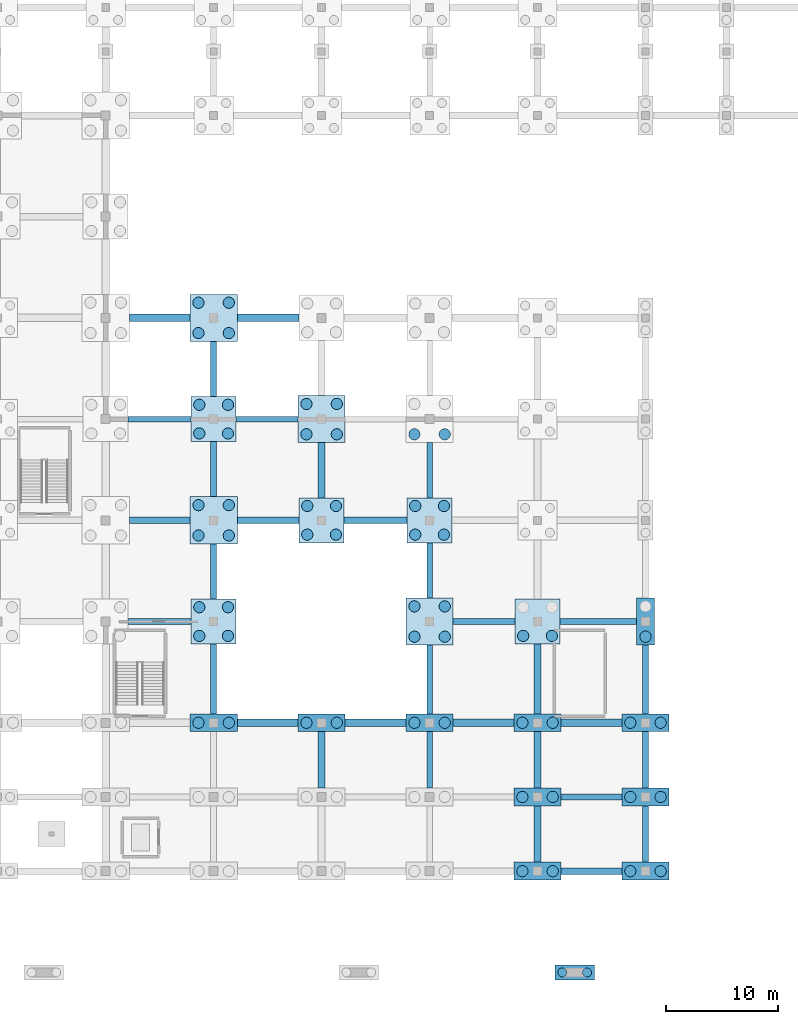
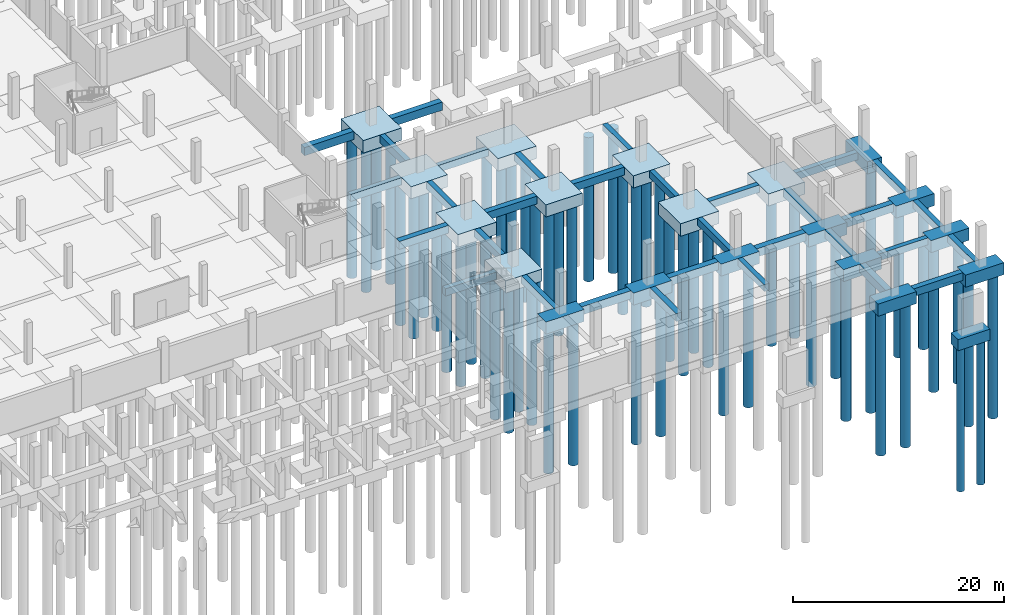
# One storey, part 12 of 39: 57 piles, 52 footings.
"""IFC4 building model written with IfcOpenShell, lengths in metres."""

import ifcopenshell
import ifcopenshell.guid

model = None  # the IFC model being written
_history = None  # IfcOwnerHistory: only IFC2X3 demands one
_inside = {}  # id of a spatial element -> (the spatial element, [elements in it])
_under = {}  # id of a project, library or spatial element -> (it, [spatial elements below it])
_declared = {}  # id of a project -> (the project, [libraries it declares])
_typed = {}  # id of a type object -> (the type object, [elements of that type])
_made_of = {}  # id of a material, layer set ... -> (it, [elements and type objects made of it])


def new_model(schema):
    """Start an empty IFC model of exactly this schema.

    Asked for "IFC4X3", IfcOpenShell would pick the latest addendum, in which some entities
    have other attributes; the version numbers below select the first issue.
    IFC2X3 requires an IfcOwnerHistory on every rooted entity: one is made here for all.
    """
    global model, _history
    if schema == "IFC4X3":
        model = ifcopenshell.file(schema_version=(4, 3, 0, 0))
    else:
        model = ifcopenshell.file(schema=schema)
    _inside.clear()
    _under.clear()
    _declared.clear()
    _typed.clear()
    _made_of.clear()
    _history = None
    if model.schema == "IFC2X3":
        org = make("IfcOrganization", Name="unknown")
        user = make(
            "IfcPersonAndOrganization",
            ThePerson=make("IfcPerson", FamilyName="unknown"),
            TheOrganization=org,
        )
        app = make(
            "IfcApplication",
            ApplicationDeveloper=org,
            Version="unknown",
            ApplicationFullName="unknown",
            ApplicationIdentifier="unknown",
        )
        _history = make(
            "IfcOwnerHistory",
            OwningUser=user,
            OwningApplication=app,
            ChangeAction="ADDED",
            CreationDate=0,
        )
    return model


def make(cls, **values):
    """One entity of the class cls with the attributes given. An attribute that is None is left unset."""
    return model.create_entity(
        cls, **{name: value for name, value in values.items() if value is not None}
    )


def rooted(cls, **values):
    """An entity with a GlobalId (a new one), such as an element, a storey or a relation."""
    return make(cls, GlobalId=ifcopenshell.guid.new(), OwnerHistory=_history, **values)


def si_unit(unit_type, name, prefix=None):
    """IfcSIUnit, for example si_unit("LENGTHUNIT", "METRE", prefix="MILLI")."""
    return make("IfcSIUnit", UnitType=unit_type, Prefix=prefix, Name=name)


def assignment(units):
    """IfcUnitAssignment: the units of a project."""
    return None if units is None else make("IfcUnitAssignment", Units=units)


def point(xyz):
    """IfcCartesianPoint."""
    return None if xyz is None else make("IfcCartesianPoint", Coordinates=xyz)


def direction(xyz):
    """IfcDirection."""
    return None if xyz is None else make("IfcDirection", DirectionRatios=xyz)


def frame(location, z_axis=None, x_axis=None):
    """IfcAxis2Placement3D, a coordinate frame: its origin and axes. An axis left out is left unset."""
    return make(
        "IfcAxis2Placement3D",
        Location=point(location),
        Axis=direction(z_axis),
        RefDirection=direction(x_axis),
    )


def frame_2d(location, x_axis=None):
    """IfcAxis2Placement2D, a coordinate frame in the plane: its origin and x axis."""
    return make(
        "IfcAxis2Placement2D", Location=point(location), RefDirection=direction(x_axis)
    )


def origin():
    """The frame at (0, 0, 0) with its axes left unset."""
    return frame((0.0, 0.0, 0.0))


def origin_2d():
    """The frame at (0, 0) in the plane with its x axis left unset."""
    return frame_2d((0.0, 0.0))


def place(relative_to, where):
    """IfcLocalPlacement: puts the frame where relative to a parent placement (None: the world)."""
    return make(
        "IfcLocalPlacement", PlacementRelTo=relative_to, RelativePlacement=where
    )


def context(
    kind, dimensions, precision=None, world=None, true_north=None, identifier=None
):
    """IfcGeometricRepresentationContext, for example the 3D "Model" context."""
    return make(
        "IfcGeometricRepresentationContext",
        ContextIdentifier=identifier,
        ContextType=kind,
        CoordinateSpaceDimension=dimensions,
        Precision=precision,
        WorldCoordinateSystem=world,
        TrueNorth=true_north,
    )


def subcontext(parent, identifier, kind, view, scale=None):
    """IfcGeometricRepresentationSubContext, for example "Body" below "Model"."""
    return make(
        "IfcGeometricRepresentationSubContext",
        ContextIdentifier=identifier,
        ContextType=kind,
        ParentContext=parent,
        TargetScale=scale,
        TargetView=view,
    )


def project(units=None, contexts=None):
    """IfcProject with its units and contexts."""
    return rooted(
        "IfcProject",
        Name="project",
        RepresentationContexts=contexts,
        UnitsInContext=assignment(units),
    )


def spatial(cls, under=None, at=None, **own):
    """A site, building, storey or space (cls), placed at a placement, below another one or the project."""
    s = rooted(cls, ObjectPlacement=at, **own)
    if under is not None:
        _under.setdefault(under.id(), (under, []))[1].append(s)
    return s


def polyline(points):
    """IfcPolyline through the points."""
    return make("IfcPolyline", Points=[point(p) for p in points])


def profile(cls, at=None, kind="AREA", **sizes):
    """A parametric profile (cls). Its sizes go by their IFC names, for example OverallWidth=200.0."""
    return make(cls, ProfileType=kind, Position=at, **sizes)


def rectangle(**sizes):
    """IfcRectangleProfileDef."""
    return profile("IfcRectangleProfileDef", **sizes)


def circle(**sizes):
    """IfcCircleProfileDef."""
    return profile("IfcCircleProfileDef", **sizes)


def outline(outer, holes=None, kind="AREA"):
    """IfcArbitraryClosedProfileDef: a profile drawn as a closed curve; with holes, ...WithVoids."""
    if holes is None:
        return make("IfcArbitraryClosedProfileDef", ProfileType=kind, OuterCurve=outer)
    return make(
        "IfcArbitraryProfileDefWithVoids",
        ProfileType=kind,
        OuterCurve=outer,
        InnerCurves=holes,
    )


def extrude(swept, where, along, depth):
    """IfcExtrudedAreaSolid: the profile swept, set in the frame where, extruded along a direction by depth."""
    return make(
        "IfcExtrudedAreaSolid",
        SweptArea=swept,
        Position=where,
        ExtrudedDirection=direction(along),
        Depth=depth,
    )


def shape(context_of_items, identifier, shape_type, items):
    """IfcShapeRepresentation: the items that make up one representation, for example the "Body"."""
    return make(
        "IfcShapeRepresentation",
        ContextOfItems=context_of_items,
        RepresentationIdentifier=identifier,
        RepresentationType=shape_type,
        Items=items,
    )


def material(Name=None, Category=None):
    """IfcMaterial."""
    return make("IfcMaterial", Name=Name, Category=Category)


def material_profile(
    of_material, cross_section, Name=None, Category=None, Priority=None
):
    """IfcMaterialProfile: a cross section and its material."""
    return make(
        "IfcMaterialProfile",
        Name=Name,
        Material=of_material,
        Profile=cross_section,
        Priority=Priority,
        Category=Category,
    )


def profile_set(profiles, Name=None, composite=None):
    """IfcMaterialProfileSet."""
    return make(
        "IfcMaterialProfileSet",
        Name=Name,
        MaterialProfiles=profiles,
        CompositeProfile=composite,
    )


def made_of(thing, what):
    """Note that an element or type object is made of a material, layer set ...; save() writes the relation."""
    if what is not None:
        _made_of.setdefault(what.id(), (what, []))[1].append(thing)
    return thing


def type_object(cls, material=None, **own):
    """A type object (cls), such as IfcWallType, which elements share."""
    return made_of(rooted(cls, **own), material)


def element(
    cls,
    number,
    at=None,
    inside=None,
    cuts=None,
    type_object=None,
    material=None,
    context=None,
    identifier="Body",
    shape_type=None,
    held_by="IfcProductDefinitionShape",
    body=None,
    shapes=None,
    **own,
):
    """One element of the class cls, such as IfcWall. Its Tag is "e" and its number.

    at: its placement. inside: the storey or other place that contains it. cuts: it is an
    opening in that element (IfcRelVoidsElement). A single representation is given by context,
    identifier, shape_type and body (its items); several are given by shapes. held_by: the class
    of the entity that holds the representations. save() writes the other relations.
    """
    e = rooted(cls, Tag="e%d" % number, ObjectPlacement=at, **own)
    if body is not None:
        shapes = [shape(context, identifier, shape_type, body)]
    if shapes is not None:
        e.Representation = make(held_by, Representations=shapes)
    if inside is not None:
        _inside.setdefault(inside.id(), (inside, []))[1].append(e)
    if cuts is not None:
        rooted(
            "IfcRelVoidsElement", RelatingBuildingElement=cuts, RelatedOpeningElement=e
        )
    if type_object is not None:
        _typed.setdefault(type_object.id(), (type_object, []))[1].append(e)
    return made_of(e, material)


def aggregate(whole, parts):
    """IfcRelAggregates: a whole, such as a stair, and the parts it consists of."""
    return rooted("IfcRelAggregates", RelatingObject=whole, RelatedObjects=parts)


def save(model, path):
    """Write the relations noted so far, then the file.

    IfcRelAggregates (storeys below a building ...), IfcRelContainedInSpatialStructure (elements
    in a storey), IfcRelDefinesByType, IfcRelAssociatesMaterial and IfcRelDeclares: one each for
    every whole, place, type object, material and project.
    """
    for whole, parts in _under.values():
        aggregate(whole, parts)
    for where, things in _inside.values():
        rooted(
            "IfcRelContainedInSpatialStructure",
            RelatedElements=things,
            RelatingStructure=where,
        )
    for kind, things in _typed.values():
        rooted("IfcRelDefinesByType", RelatedObjects=things, RelatingType=kind)
    for what, things in _made_of.values():
        rooted("IfcRelAssociatesMaterial", RelatedObjects=things, RelatingMaterial=what)
    for by, libraries in _declared.values():
        rooted("IfcRelDeclares", RelatingContext=by, RelatedDefinitions=libraries)
    model.write(path)


model = new_model("IFC4")

# Units and contexts
model_context = context("Model", 3, precision=1e-05, world=origin(), true_north=direction((0.0, 1.0)))
body_context = subcontext(model_context, "Body", "Model", "MODEL_VIEW")
ifc_project = project(units=[si_unit("LENGTHUNIT", "METRE"), si_unit("AREAUNIT", "SQUARE_METRE"), si_unit("VOLUMEUNIT", "CUBIC_METRE"), si_unit("PLANEANGLEUNIT", "RADIAN"), si_unit("MASSUNIT", "GRAM", prefix="KILO")], contexts=[model_context])

# Site, building, storey
site_placement = place(None, origin())
site = spatial("IfcSite", under=ifc_project, at=site_placement, CompositionType="ELEMENT")
building_placement = place(site_placement, origin())
building = spatial("IfcBuilding", under=site, at=building_placement, Name="Zarnetskaya Central Station", CompositionType="ELEMENT")
storey_placement = place(building_placement, frame((0.0, 0.0, -4.800048828125)))
storey = spatial("IfcBuildingStorey", under=building, at=storey_placement, Name="B1", CompositionType="ELEMENT", Elevation=-4.800048828125)

# Footings
ifc_material_1 = material(Name="Concrete C30/37", Category="concrete")
footing_type_1 = type_object("IfcFootingType", Name="FB-500x800", PredefinedType="FOOTING_BEAM", material=ifc_material_1)
footing_1_placement = place(storey_placement, frame((0.0, 0.0, -0.800048828125)))
element("IfcFooting", 1, at=footing_1_placement, inside=storey, type_object=footing_type_1, Name="Footing tie beam 2 T-U", PredefinedType="FOOTING_BEAM", context=body_context, shape_type="SweptSolid", body=[
    extrude(outline(polyline([(165.300048828125, 6.35009765625), (170.699951171875, 6.35009765625), (170.699951171875, 6.85009765625), (165.300048828125, 6.85009765625), (165.300048828125, 6.35009765625)])), origin(), (0.0, 0.0, 1.0), 0.800048828125),
])
footing_2_placement = place(storey_placement, frame((0.0, 0.0, -0.800048828125)))
element("IfcFooting", 2, at=footing_2_placement, inside=storey, type_object=footing_type_1, Name="Footing tie beam 6 P-Q", PredefinedType="FOOTING_BEAM", context=body_context, shape_type="SweptSolid", body=[
    extrude(outline(polyline([(126.800048828125, 39.949951171875), (132.39990234375, 39.949951171875), (132.39990234375, 40.449951171875), (126.800048828125, 40.449951171875), (126.800048828125, 39.949951171875)])), origin(), (0.0, 0.0, 1.0), 0.800048828125),
])
footing_3_placement = place(storey_placement, frame((0.0, 0.0, -0.800048828125)))
element("IfcFooting", 3, at=footing_3_placement, inside=storey, type_object=footing_type_1, Name="Footing tie beam 6 Q-R", PredefinedType="FOOTING_BEAM", context=body_context, shape_type="SweptSolid", body=[
    extrude(outline(polyline([(136.39990234375, 39.949951171875), (141.89990234375, 39.949951171875), (141.89990234375, 40.449951171875), (136.39990234375, 40.449951171875), (136.39990234375, 39.949951171875)])), origin(), (0.0, 0.0, 1.0), 0.800048828125),
])
footing_4_placement = place(storey_placement, frame((0.0, 0.0, -0.800048828125)))
element("IfcFooting", 4, at=footing_4_placement, inside=storey, type_object=footing_type_1, Name="Footing tie beam S 2-3", PredefinedType="FOOTING_BEAM", context=body_context, shape_type="SweptSolid", body=[
    extrude(outline(polyline([(153.35009765625, 7.39990234375), (153.85009765625, 7.39990234375), (153.85009765625, 12.39990234375), (153.35009765625, 12.39990234375), (153.35009765625, 7.39990234375)])), origin(), (0.0, 0.0, 1.0), 0.800048828125),
])
footing_5_placement = place(storey_placement, frame((0.0, 0.0, -0.800048828125)))
element("IfcFooting", 5, at=footing_5_placement, inside=storey, type_object=footing_type_1, Name="Footing tie beam S 3-4", PredefinedType="FOOTING_BEAM", context=body_context, shape_type="SweptSolid", body=[
    extrude(outline(polyline([(153.35009765625, 14.0), (153.85009765625, 14.0), (153.85009765625, 20.10009765625), (153.35009765625, 20.10009765625), (153.35009765625, 14.0)])), origin(), (0.0, 0.0, 1.0), 0.800048828125),
])
footing_6_placement = place(storey_placement, frame((0.0, 0.0, -0.800048828125)))
element("IfcFooting", 6, at=footing_6_placement, inside=storey, type_object=footing_type_1, Name="Footing tie beam S 4-5", PredefinedType="FOOTING_BEAM", context=body_context, shape_type="SweptSolid", body=[
    extrude(outline(polyline([(153.35009765625, 24.300048828125), (153.85009765625, 24.300048828125), (153.85009765625, 29.199951171875), (153.35009765625, 29.199951171875), (153.35009765625, 24.300048828125)])), origin(), (0.0, 0.0, 1.0), 0.800048828125),
])
footing_7_placement = place(storey_placement, frame((0.0, 0.0, -0.800048828125)))
element("IfcFooting", 7, at=footing_7_placement, inside=storey, type_object=footing_type_1, Name="Footing tie beam S 5-6", PredefinedType="FOOTING_BEAM", context=body_context, shape_type="SweptSolid", body=[
    extrude(outline(polyline([(153.35009765625, 33.199951171875), (153.85009765625, 33.199951171875), (153.85009765625, 38.10009765625), (153.35009765625, 38.10009765625), (153.35009765625, 33.199951171875)])), origin(), (0.0, 0.0, 1.0), 0.800048828125),
])
footing_type_2 = type_object("IfcFootingType", Name="FB-550x850", PredefinedType="FOOTING_BEAM", material=ifc_material_1)
footing_8_placement = place(storey_placement, frame((0.0, 0.0, -0.849853515625)))
element("IfcFooting", 8, at=footing_8_placement, inside=storey, type_object=footing_type_2, Name="Footing tie beam 4 P-Q", PredefinedType="FOOTING_BEAM", context=body_context, shape_type="SweptSolid", body=[
    extrude(outline(polyline([(126.800048828125, 21.925048828125), (132.39990234375, 21.925048828125), (132.39990234375, 22.47509765625), (126.800048828125, 22.47509765625), (126.800048828125, 21.925048828125)])), origin(), (0.0, 0.0, 1.0), 0.849853515625),
])
footing_9_placement = place(storey_placement, frame((0.0, 0.0, -0.849853515625)))
element("IfcFooting", 9, at=footing_9_placement, inside=storey, type_object=footing_type_2, Name="Footing tie beam 4 S-T", PredefinedType="FOOTING_BEAM", context=body_context, shape_type="SweptSolid", body=[
    extrude(outline(polyline([(155.699951171875, 21.925048828125), (161.199951171875, 21.925048828125), (161.199951171875, 22.47509765625), (155.699951171875, 22.47509765625), (155.699951171875, 21.925048828125)])), origin(), (0.0, 0.0, 1.0), 0.849853515625),
])
footing_10_placement = place(storey_placement, frame((0.0, 0.0, -0.849853515625)))
element("IfcFooting", 10, at=footing_10_placement, inside=storey, type_object=footing_type_2, Name="Footing tie beam 4 T-U", PredefinedType="FOOTING_BEAM", context=body_context, shape_type="SweptSolid", body=[
    extrude(outline(polyline([(165.199951171875, 21.925048828125), (172.0, 21.925048828125), (172.0, 22.47509765625), (165.199951171875, 22.47509765625), (165.199951171875, 21.925048828125)])), origin(), (0.0, 0.0, 1.0), 0.849853515625),
])
footing_11_placement = place(storey_placement, frame((0.0, 0.0, -0.849853515625)))
element("IfcFooting", 11, at=footing_11_placement, inside=storey, type_object=footing_type_2, Name="Footing tie beam Q 3-4", PredefinedType="FOOTING_BEAM", context=body_context, shape_type="SweptSolid", body=[
    extrude(outline(polyline([(134.125, 14.0), (134.675048828125, 14.0), (134.675048828125, 20.199951171875), (134.125, 20.199951171875), (134.125, 14.0)])), origin(), (0.0, 0.0, 1.0), 0.849853515625),
])
footing_12_placement = place(storey_placement, frame((0.0, 0.0, -0.849853515625)))
element("IfcFooting", 12, at=footing_12_placement, inside=storey, type_object=footing_type_2, Name="Footing tie beam Q 4-5", PredefinedType="FOOTING_BEAM", context=body_context, shape_type="SweptSolid", body=[
    extrude(outline(polyline([(134.125, 24.199951171875), (134.675048828125, 24.199951171875), (134.675048828125, 29.10009765625), (134.125, 29.10009765625), (134.125, 24.199951171875)])), origin(), (0.0, 0.0, 1.0), 0.849853515625),
])
footing_13_placement = place(storey_placement, frame((0.0, 0.0, -0.849853515625)))
element("IfcFooting", 13, at=footing_13_placement, inside=storey, type_object=footing_type_2, Name="Footing tie beam Q 5-6", PredefinedType="FOOTING_BEAM", context=body_context, shape_type="SweptSolid", body=[
    extrude(outline(polyline([(134.125, 33.300048828125), (134.675048828125, 33.300048828125), (134.675048828125, 38.199951171875), (134.125, 38.199951171875), (134.125, 33.300048828125)])), origin(), (0.0, 0.0, 1.0), 0.849853515625),
])
footing_14_placement = place(storey_placement, frame((0.0, 0.0, -0.849853515625)))
element("IfcFooting", 14, at=footing_14_placement, inside=storey, type_object=footing_type_2, Name="Footing tie beam Q 6-7", PredefinedType="FOOTING_BEAM", context=body_context, shape_type="SweptSolid", body=[
    extrude(outline(polyline([(134.125, 42.199951171875), (134.675048828125, 42.199951171875), (134.675048828125, 47.10009765625), (134.125, 47.10009765625), (134.125, 42.199951171875)])), origin(), (0.0, 0.0, 1.0), 0.849853515625),
])
footing_15_placement = place(storey_placement, frame((0.0, 0.0, -0.849853515625)))
element("IfcFooting", 15, at=footing_15_placement, inside=storey, type_object=footing_type_2, Name="Footing tie beam U 1-2", PredefinedType="FOOTING_BEAM", context=body_context, shape_type="SweptSolid", body=[
    extrude(outline(polyline([(172.52490234375, 0.800048828125), (173.074951171875, 0.800048828125), (173.074951171875, 5.800048828125), (172.52490234375, 5.800048828125), (172.52490234375, 0.800048828125)])), origin(), (0.0, 0.0, 1.0), 0.849853515625),
])
footing_16_placement = place(storey_placement, frame((0.0, 0.0, -0.849853515625)))
element("IfcFooting", 16, at=footing_16_placement, inside=storey, type_object=footing_type_2, Name="Footing tie beam U 2-3", PredefinedType="FOOTING_BEAM", context=body_context, shape_type="SweptSolid", body=[
    extrude(outline(polyline([(172.52490234375, 7.39990234375), (173.074951171875, 7.39990234375), (173.074951171875, 12.39990234375), (172.52490234375, 12.39990234375), (172.52490234375, 7.39990234375)])), origin(), (0.0, 0.0, 1.0), 0.849853515625),
])
footing_17_placement = place(storey_placement, frame((0.0, 0.0, -0.849853515625)))
element("IfcFooting", 17, at=footing_17_placement, inside=storey, type_object=footing_type_2, Name="Footing tie beam U 3-4", PredefinedType="FOOTING_BEAM", context=body_context, shape_type="SweptSolid", body=[
    extrude(outline(polyline([(172.52490234375, 14.0), (173.074951171875, 14.0), (173.074951171875, 20.10009765625), (172.52490234375, 20.10009765625), (172.52490234375, 14.0)])), origin(), (0.0, 0.0, 1.0), 0.849853515625),
])
footing_type_3 = type_object("IfcFootingType", Name="FB-600x900", PredefinedType="FOOTING_BEAM", material=ifc_material_1)
footing_18_placement = place(storey_placement, frame((0.0, 0.0, -0.89990234375)))
element("IfcFooting", 18, at=footing_18_placement, inside=storey, type_object=footing_type_3, Name="Footing tie beam 1 T-U", PredefinedType="FOOTING_BEAM", context=body_context, shape_type="SweptSolid", body=[
    extrude(outline(polyline([(165.300048828125, -0.300048828125), (170.699951171875, -0.300048828125), (170.699951171875, 0.300048828125), (165.300048828125, 0.300048828125), (165.300048828125, -0.300048828125)])), origin(), (0.0, 0.0, 1.0), 0.89990234375),
])
footing_19_placement = place(storey_placement, frame((0.0, 0.0, -0.89990234375)))
element("IfcFooting", 19, at=footing_19_placement, inside=storey, type_object=footing_type_3, Name="Footing tie beam 5 P-Q", PredefinedType="FOOTING_BEAM", context=body_context, shape_type="SweptSolid", body=[
    extrude(outline(polyline([(126.89990234375, 30.89990234375), (132.300048828125, 30.89990234375), (132.300048828125, 31.5), (126.89990234375, 31.5), (126.89990234375, 30.89990234375)])), origin(), (0.0, 0.0, 1.0), 0.89990234375),
])
footing_20_placement = place(storey_placement, frame((0.0, 0.0, -0.89990234375)))
element("IfcFooting", 20, at=footing_20_placement, inside=storey, type_object=footing_type_3, Name="Footing tie beam 5 Q-R", PredefinedType="FOOTING_BEAM", context=body_context, shape_type="SweptSolid", body=[
    extrude(outline(polyline([(136.5, 30.89990234375), (142.0, 30.89990234375), (142.0, 31.5), (136.5, 31.5), (136.5, 30.89990234375)])), origin(), (0.0, 0.0, 1.0), 0.89990234375),
])
footing_21_placement = place(storey_placement, frame((0.0, 0.0, -0.89990234375)))
element("IfcFooting", 21, at=footing_21_placement, inside=storey, type_object=footing_type_3, Name="Footing tie beam 5 R-S", PredefinedType="FOOTING_BEAM", context=body_context, shape_type="SweptSolid", body=[
    extrude(outline(polyline([(146.0, 30.89990234375), (151.60009765625, 30.89990234375), (151.60009765625, 31.5), (146.0, 31.5), (146.0, 30.89990234375)])), origin(), (0.0, 0.0, 1.0), 0.89990234375),
])
footing_22_placement = place(storey_placement, frame((0.0, 0.0, -0.89990234375)))
element("IfcFooting", 22, at=footing_22_placement, inside=storey, type_object=footing_type_3, Name="Footing tie beam R 2-3", PredefinedType="FOOTING_BEAM", context=body_context, shape_type="SweptSolid", body=[
    extrude(outline(polyline([(143.699951171875, 7.39990234375), (144.300048828125, 7.39990234375), (144.300048828125, 12.39990234375), (143.699951171875, 12.39990234375), (143.699951171875, 7.39990234375)])), origin(), (0.0, 0.0, 1.0), 0.89990234375),
])
footing_23_placement = place(storey_placement, frame((0.0, 0.0, -0.89990234375)))
element("IfcFooting", 23, at=footing_23_placement, inside=storey, type_object=footing_type_3, Name="Footing tie beam R 5-6", PredefinedType="FOOTING_BEAM", context=body_context, shape_type="SweptSolid", body=[
    extrude(outline(polyline([(143.699951171875, 33.199951171875), (144.300048828125, 33.199951171875), (144.300048828125, 38.10009765625), (143.699951171875, 38.10009765625), (143.699951171875, 33.199951171875)])), origin(), (0.0, 0.0, 1.0), 0.89990234375),
])
footing_type_4 = type_object("IfcFootingType", Name="FB-650x950", PredefinedType="FOOTING_BEAM", material=ifc_material_1)
footing_24_placement = place(storey_placement, frame((0.0, 0.0, -0.949951171875)))
element("IfcFooting", 24, at=footing_24_placement, inside=storey, type_object=footing_type_4, Name="Footing tie beam 3 Q-R", PredefinedType="FOOTING_BEAM", context=body_context, shape_type="SweptSolid", body=[
    extrude(outline(polyline([(136.5, 12.875), (141.89990234375, 12.875), (141.89990234375, 13.52490234375), (136.5, 13.52490234375), (136.5, 12.875)])), origin(), (0.0, 0.0, 1.0), 0.949951171875),
])
footing_25_placement = place(storey_placement, frame((0.0, 0.0, -0.949951171875)))
element("IfcFooting", 25, at=footing_25_placement, inside=storey, type_object=footing_type_4, Name="Footing tie beam 3 R-S", PredefinedType="FOOTING_BEAM", context=body_context, shape_type="SweptSolid", body=[
    extrude(outline(polyline([(146.10009765625, 12.875), (151.5, 12.875), (151.5, 13.52490234375), (146.10009765625, 13.52490234375), (146.10009765625, 12.875)])), origin(), (0.0, 0.0, 1.0), 0.949951171875),
])
footing_26_placement = place(storey_placement, frame((0.0, 0.0, -0.949951171875)))
element("IfcFooting", 26, at=footing_26_placement, inside=storey, type_object=footing_type_4, Name="Footing tie beam 3 S-T", PredefinedType="FOOTING_BEAM", context=body_context, shape_type="SweptSolid", body=[
    extrude(outline(polyline([(155.699951171875, 12.875), (161.10009765625, 12.875), (161.10009765625, 13.52490234375), (155.699951171875, 13.52490234375), (155.699951171875, 12.875)])), origin(), (0.0, 0.0, 1.0), 0.949951171875),
])
footing_27_placement = place(storey_placement, frame((0.0, 0.0, -0.949951171875)))
element("IfcFooting", 27, at=footing_27_placement, inside=storey, type_object=footing_type_4, Name="Footing tie beam 3 T-U", PredefinedType="FOOTING_BEAM", context=body_context, shape_type="SweptSolid", body=[
    extrude(outline(polyline([(165.300048828125, 12.875), (170.699951171875, 12.875), (170.699951171875, 13.52490234375), (165.300048828125, 13.52490234375), (165.300048828125, 12.875)])), origin(), (0.0, 0.0, 1.0), 0.949951171875),
])
footing_28_placement = place(storey_placement, frame((0.0, 0.0, -0.949951171875)))
element("IfcFooting", 28, at=footing_28_placement, inside=storey, type_object=footing_type_4, Name="Footing tie beam 7 P-Q", PredefinedType="FOOTING_BEAM", context=body_context, shape_type="SweptSolid", body=[
    extrude(outline(polyline([(126.89990234375, 48.875), (132.300048828125, 48.875), (132.300048828125, 49.52490234375), (126.89990234375, 49.52490234375), (126.89990234375, 48.875)])), origin(), (0.0, 0.0, 1.0), 0.949951171875),
])
footing_29_placement = place(storey_placement, frame((0.0, 0.0, -0.949951171875)))
element("IfcFooting", 29, at=footing_29_placement, inside=storey, type_object=footing_type_4, Name="Footing tie beam 7 Q-R", PredefinedType="FOOTING_BEAM", context=body_context, shape_type="SweptSolid", body=[
    extrude(outline(polyline([(136.5, 48.875), (142.0, 48.875), (142.0, 49.52490234375), (136.5, 49.52490234375), (136.5, 48.875)])), origin(), (0.0, 0.0, 1.0), 0.949951171875),
])
footing_30_placement = place(storey_placement, frame((0.0, 0.0, -0.949951171875)))
element("IfcFooting", 30, at=footing_30_placement, inside=storey, type_object=footing_type_4, Name="Footing tie beam T 1-2", PredefinedType="FOOTING_BEAM", context=body_context, shape_type="SweptSolid", body=[
    extrude(outline(polyline([(162.875, 0.800048828125), (163.52490234375, 0.800048828125), (163.52490234375, 5.800048828125), (162.875, 5.800048828125), (162.875, 0.800048828125)])), origin(), (0.0, 0.0, 1.0), 0.949951171875),
])
footing_31_placement = place(storey_placement, frame((0.0, 0.0, -0.949951171875)))
element("IfcFooting", 31, at=footing_31_placement, inside=storey, type_object=footing_type_4, Name="Footing tie beam T 2-3", PredefinedType="FOOTING_BEAM", context=body_context, shape_type="SweptSolid", body=[
    extrude(outline(polyline([(162.875, 7.39990234375), (163.52490234375, 7.39990234375), (163.52490234375, 12.39990234375), (162.875, 12.39990234375), (162.875, 7.39990234375)])), origin(), (0.0, 0.0, 1.0), 0.949951171875),
])
footing_32_placement = place(storey_placement, frame((0.0, 0.0, -0.949951171875)))
element("IfcFooting", 32, at=footing_32_placement, inside=storey, type_object=footing_type_4, Name="Footing tie beam T 3-4", PredefinedType="FOOTING_BEAM", context=body_context, shape_type="SweptSolid", body=[
    extrude(outline(polyline([(162.875, 14.0), (163.52490234375, 14.0), (163.52490234375, 20.199951171875), (162.875, 20.199951171875), (162.875, 14.0)])), origin(), (0.0, 0.0, 1.0), 0.949951171875),
])
ifc_material_2 = material(Name="Concrete C35/45", Category="concrete")
footing_type_5 = type_object("IfcFootingType", Name="PC-2P-1000X", PredefinedType="PILE_CAP", material=ifc_material_2)
for number, where, z_axis, x_axis, name in (
    (33, (134.39990234375, 13.199951171875, -1.39990234375), (0.0, 0.0, 1.0), (1.0, 0.0, 0.0), "Pile cap Q3"),
    (34, (144.0, 13.199951171875, -1.39990234375), (0.0, 0.0, 1.0), (1.0, 0.0, 0.0), "Pile cap R3"),
    (35, (153.60009765625, 13.199951171875, -1.39990234375), (0.0, 0.0, 1.0), (1.0, 0.0, 0.0), "Pile cap S3"),
    (36, (163.199951171875, 0.0, -1.39990234375), (0.0, 0.0, 1.0), (1.0, 0.0, 0.0), "Pile cap T1"),
    (37, (163.199951171875, 6.60009765625, -1.39990234375), (0.0, 0.0, 1.0), (1.0, 0.0, 0.0), "Pile cap T2"),
    (38, (163.199951171875, 13.199951171875, -1.39990234375), (0.0, 0.0, 1.0), (1.0, 0.0, 0.0), "Pile cap T3"),
    (39, (172.800048828125, 0.0, -1.39990234375), (0.0, 0.0, 1.0), (1.0, 0.0, 0.0), "Pile cap U1"),
    (40, (172.800048828125, 6.60009765625, -1.39990234375), (0.0, 0.0, 1.0), (1.0, 0.0, 0.0), "Pile cap U2"),
    (41, (172.800048828125, 13.199951171875, -1.39990234375), (0.0, 0.0, 1.0), (1.0, 0.0, 0.0), "Pile cap U3"),
):
    element("IfcFooting", number, at=place(storey_placement, frame(where, z_axis=z_axis, x_axis=x_axis)), inside=storey, type_object=footing_type_5, Name=name, PredefinedType="PILE_CAP", context=body_context, shape_type="SweptSolid", body=[
        extrude(rectangle(XDim=4.199951171875, YDim=1.60009765625, at=origin_2d()), origin(), (0.0, 0.0, 1.0), 1.39990234375),
    ])
footing_type_6 = type_object("IfcFootingType", Name="PC-2P-1000Y", PredefinedType="PILE_CAP", material=ifc_material_2)
footing_33_placement = place(storey_placement, frame((172.800048828125, 22.199951171875, -1.39990234375), z_axis=(0.0, 0.0, 1.0), x_axis=(1.0, 0.0, 0.0)))
element("IfcFooting", 42, at=footing_33_placement, inside=storey, type_object=footing_type_6, Name="Pile cap U4", PredefinedType="PILE_CAP", context=body_context, shape_type="SweptSolid", body=[
    extrude(rectangle(XDim=1.60009765625, YDim=4.199951171875, at=origin_2d()), origin(), (0.0, 0.0, 1.0), 1.39990234375),
])
footing_type_7 = type_object("IfcFootingType", Name="PC-2P-800X", PredefinedType="PILE_CAP", material=ifc_material_2)
footing_34_placement = place(storey_placement, frame((166.5, -9.0, -1.2998046875), z_axis=(0.0, 0.0, 1.0), x_axis=(1.0, 0.0, 0.0)))
element("IfcFooting", 43, at=footing_34_placement, inside=storey, type_object=footing_type_7, Name="Ramp pier two-pile cap RM-05", PredefinedType="PILE_CAP", context=body_context, shape_type="SweptSolid", body=[
    extrude(rectangle(XDim=3.5, YDim=1.35009765625, at=origin_2d()), origin(), (0.0, 0.0, 1.0), 1.300048828125),
])
footing_type_8 = type_object("IfcFootingType", Name="PC-4P-1000A", PredefinedType="PILE_CAP", material=ifc_material_2)
for number, where, z_axis, x_axis, name in (
    (44, (134.39990234375, 31.199951171875, -1.44970703125), (0.0, 0.0, 1.0), (1.0, 0.0, 0.0), "Pile cap Q5"),
    (45, (134.39990234375, 49.199951171875, -1.44970703125), (0.0, 0.0, 1.0), (1.0, 0.0, 0.0), "Pile cap Q7"),
    (46, (144.0, 40.199951171875, -1.44970703125), (0.0, 0.0, 1.0), (1.0, 0.0, 0.0), "Pile cap R6"),
    (47, (153.60009765625, 22.199951171875, -1.44970703125), (0.0, 0.0, 1.0), (1.0, 0.0, 0.0), "Pile cap S4"),
):
    element("IfcFooting", number, at=place(storey_placement, frame(where, z_axis=z_axis, x_axis=x_axis)), inside=storey, type_object=footing_type_8, Name=name, PredefinedType="PILE_CAP", context=body_context, shape_type="SweptSolid", body=[
        extrude(rectangle(XDim=4.199951171875, YDim=4.199951171875, at=origin_2d()), origin(), (0.0, 0.0, 1.0), 1.449951171875),
    ])
footing_type_9 = type_object("IfcFootingType", Name="PC-4P-1000B", PredefinedType="PILE_CAP", material=ifc_material_2)
for number, where, z_axis, x_axis, name in (
    (48, (134.39990234375, 22.199951171875, -1.39990234375), (0.0, 0.0, 1.0), (1.0, 0.0, 0.0), "Pile cap Q4"),
    (49, (134.39990234375, 40.199951171875, -1.39990234375), (0.0, 0.0, 1.0), (1.0, 0.0, 0.0), "Pile cap Q6"),
    (50, (144.0, 31.199951171875, -1.39990234375), (0.0, 0.0, 1.0), (1.0, 0.0, 0.0), "Pile cap R5"),
    (51, (153.60009765625, 31.199951171875, -1.39990234375), (0.0, 0.0, 1.0), (1.0, 0.0, 0.0), "Pile cap S5"),
    (52, (163.199951171875, 22.199951171875, -1.39990234375), (0.0, 0.0, 1.0), (1.0, 0.0, 0.0), "Pile cap T4"),
):
    element("IfcFooting", number, at=place(storey_placement, frame(where, z_axis=z_axis, x_axis=x_axis)), inside=storey, type_object=footing_type_9, Name=name, PredefinedType="PILE_CAP", context=body_context, shape_type="SweptSolid", body=[
        extrude(rectangle(XDim=4.0, YDim=4.0, at=origin_2d()), origin(), (0.0, 0.0, 1.0), 1.39990234375),
    ])

# Piles
ifc_material_profile_1 = material_profile(ifc_material_2, circle(Radius=0.5, at=origin_2d()), Name="BORED PILE D1000")
ifc_profile_set_1 = profile_set([ifc_material_profile_1], Name="Concrete C35/45")
pile_type_1 = type_object("IfcPileType", Name="PILE-D1000", PredefinedType="BORED", material=ifc_profile_set_1)
for number, where, z_axis, x_axis, name in (
    (53, (133.050048828125, 13.199951171875, -1.25), (0.0, 0.0, -1.0), (1.0, 0.0, 0.0), "Bored pile Q3-11"),
    (54, (135.75, 13.199951171875, -1.25), (0.0, 0.0, -1.0), (1.0, 0.0, 0.0), "Bored pile Q3-21"),
    (55, (133.125, 20.925048828125, -1.25), (0.0, 0.0, -1.0), (1.0, 0.0, 0.0), "Bored pile Q4-11"),
    (56, (133.125, 23.47509765625, -1.25), (0.0, 0.0, -1.0), (1.0, 0.0, 0.0), "Bored pile Q4-12"),
    (57, (135.675048828125, 20.925048828125, -1.25), (0.0, 0.0, -1.0), (1.0, 0.0, 0.0), "Bored pile Q4-21"),
    (58, (135.675048828125, 23.47509765625, -1.25), (0.0, 0.0, -1.0), (1.0, 0.0, 0.0), "Bored pile Q4-22"),
):
    element("IfcPile", number, at=place(storey_placement, frame(where, z_axis=z_axis, x_axis=x_axis)), inside=storey, type_object=pile_type_1, Name=name, PredefinedType="BORED", context=body_context, shape_type="SweptSolid", body=[
        extrude(circle(Radius=0.5, at=origin_2d()), origin(), (0.0, 0.0, 1.0), 16.75),
    ])
for number, where, z_axis, x_axis, name in (
    (59, (133.050048828125, 29.85009765625, -1.300048828125), (0.0, 0.0, -1.0), (1.0, 0.0, 0.0), "Bored pile Q5-11"),
    (60, (133.050048828125, 32.550048828125, -1.300048828125), (0.0, 0.0, -1.0), (1.0, 0.0, 0.0), "Bored pile Q5-12"),
    (61, (135.75, 29.85009765625, -1.300048828125), (0.0, 0.0, -1.0), (1.0, 0.0, 0.0), "Bored pile Q5-21"),
    (62, (135.75, 32.550048828125, -1.300048828125), (0.0, 0.0, -1.0), (1.0, 0.0, 0.0), "Bored pile Q5-22"),
):
    element("IfcPile", number, at=place(storey_placement, frame(where, z_axis=z_axis, x_axis=x_axis)), inside=storey, type_object=pile_type_1, Name=name, PredefinedType="BORED", context=body_context, shape_type="SweptSolid", body=[
        extrude(circle(Radius=0.5, at=origin_2d()), origin(), (0.0, 0.0, 1.0), 16.699951171875),
    ])
for number, where, z_axis, x_axis, name in (
    (63, (133.125, 38.925048828125, -1.25), (0.0, 0.0, -1.0), (1.0, 0.0, 0.0), "Bored pile Q6-11"),
    (64, (133.125, 41.47509765625, -1.25), (0.0, 0.0, -1.0), (1.0, 0.0, 0.0), "Bored pile Q6-12"),
    (65, (135.675048828125, 38.925048828125, -1.25), (0.0, 0.0, -1.0), (1.0, 0.0, 0.0), "Bored pile Q6-21"),
    (66, (135.675048828125, 41.47509765625, -1.25), (0.0, 0.0, -1.0), (1.0, 0.0, 0.0), "Bored pile Q6-22"),
):
    element("IfcPile", number, at=place(storey_placement, frame(where, z_axis=z_axis, x_axis=x_axis)), inside=storey, type_object=pile_type_1, Name=name, PredefinedType="BORED", context=body_context, shape_type="SweptSolid", body=[
        extrude(circle(Radius=0.5, at=origin_2d()), origin(), (0.0, 0.0, 1.0), 16.75),
    ])
for number, where, z_axis, x_axis, name in (
    (67, (133.050048828125, 47.85009765625, -1.300048828125), (0.0, 0.0, -1.0), (1.0, 0.0, 0.0), "Bored pile Q7-11"),
    (68, (133.050048828125, 50.550048828125, -1.300048828125), (0.0, 0.0, -1.0), (1.0, 0.0, 0.0), "Bored pile Q7-12"),
    (69, (135.75, 47.85009765625, -1.300048828125), (0.0, 0.0, -1.0), (1.0, 0.0, 0.0), "Bored pile Q7-21"),
    (70, (135.75, 50.550048828125, -1.300048828125), (0.0, 0.0, -1.0), (1.0, 0.0, 0.0), "Bored pile Q7-22"),
):
    element("IfcPile", number, at=place(storey_placement, frame(where, z_axis=z_axis, x_axis=x_axis)), inside=storey, type_object=pile_type_1, Name=name, PredefinedType="BORED", context=body_context, shape_type="SweptSolid", body=[
        extrude(circle(Radius=0.5, at=origin_2d()), origin(), (0.0, 0.0, 1.0), 16.699951171875),
    ])
for number, where, z_axis, x_axis, name in (
    (71, (142.64990234375, 13.199951171875, -1.25), (0.0, 0.0, -1.0), (1.0, 0.0, 0.0), "Bored pile R3-11"),
    (72, (145.35009765625, 13.199951171875, -1.25), (0.0, 0.0, -1.0), (1.0, 0.0, 0.0), "Bored pile R3-21"),
    (73, (142.72509765625, 29.925048828125, -1.25), (0.0, 0.0, -1.0), (1.0, 0.0, 0.0), "Bored pile R5-11"),
    (74, (142.72509765625, 32.47509765625, -1.25), (0.0, 0.0, -1.0), (1.0, 0.0, 0.0), "Bored pile R5-12"),
    (75, (145.27490234375, 29.925048828125, -1.25), (0.0, 0.0, -1.0), (1.0, 0.0, 0.0), "Bored pile R5-21"),
    (76, (145.27490234375, 32.47509765625, -1.25), (0.0, 0.0, -1.0), (1.0, 0.0, 0.0), "Bored pile R5-22"),
):
    element("IfcPile", number, at=place(storey_placement, frame(where, z_axis=z_axis, x_axis=x_axis)), inside=storey, type_object=pile_type_1, Name=name, PredefinedType="BORED", context=body_context, shape_type="SweptSolid", body=[
        extrude(circle(Radius=0.5, at=origin_2d()), origin(), (0.0, 0.0, 1.0), 16.75),
    ])
for number, where, z_axis, x_axis, name in (
    (77, (142.64990234375, 38.85009765625, -1.300048828125), (0.0, 0.0, -1.0), (1.0, 0.0, 0.0), "Bored pile R6-11"),
    (78, (142.64990234375, 41.550048828125, -1.300048828125), (0.0, 0.0, -1.0), (1.0, 0.0, 0.0), "Bored pile R6-12"),
    (79, (145.35009765625, 38.85009765625, -1.300048828125), (0.0, 0.0, -1.0), (1.0, 0.0, 0.0), "Bored pile R6-21"),
    (80, (145.35009765625, 41.550048828125, -1.300048828125), (0.0, 0.0, -1.0), (1.0, 0.0, 0.0), "Bored pile R6-22"),
):
    element("IfcPile", number, at=place(storey_placement, frame(where, z_axis=z_axis, x_axis=x_axis)), inside=storey, type_object=pile_type_1, Name=name, PredefinedType="BORED", context=body_context, shape_type="SweptSolid", body=[
        extrude(circle(Radius=0.5, at=origin_2d()), origin(), (0.0, 0.0, 1.0), 16.699951171875),
    ])
for number, where, z_axis, x_axis, name in (
    (81, (152.25, 13.199951171875, -1.25), (0.0, 0.0, -1.0), (1.0, 0.0, 0.0), "Bored pile S3-11"),
    (82, (154.949951171875, 13.199951171875, -1.25), (0.0, 0.0, -1.0), (1.0, 0.0, 0.0), "Bored pile S3-21"),
):
    element("IfcPile", number, at=place(storey_placement, frame(where, z_axis=z_axis, x_axis=x_axis)), inside=storey, type_object=pile_type_1, Name=name, PredefinedType="BORED", context=body_context, shape_type="SweptSolid", body=[
        extrude(circle(Radius=0.5, at=origin_2d()), origin(), (0.0, 0.0, 1.0), 16.75),
    ])
for number, where, z_axis, x_axis, name in (
    (83, (152.25, 20.85009765625, -1.300048828125), (0.0, 0.0, -1.0), (1.0, 0.0, 0.0), "Bored pile S4-11"),
    (84, (152.25, 23.550048828125, -1.300048828125), (0.0, 0.0, -1.0), (1.0, 0.0, 0.0), "Bored pile S4-12"),
    (85, (154.949951171875, 20.85009765625, -1.300048828125), (0.0, 0.0, -1.0), (1.0, 0.0, 0.0), "Bored pile S4-21"),
    (86, (154.949951171875, 23.550048828125, -1.300048828125), (0.0, 0.0, -1.0), (1.0, 0.0, 0.0), "Bored pile S4-22"),
):
    element("IfcPile", number, at=place(storey_placement, frame(where, z_axis=z_axis, x_axis=x_axis)), inside=storey, type_object=pile_type_1, Name=name, PredefinedType="BORED", context=body_context, shape_type="SweptSolid", body=[
        extrude(circle(Radius=0.5, at=origin_2d()), origin(), (0.0, 0.0, 1.0), 16.699951171875),
    ])
for number, where, z_axis, x_axis, name in (
    (87, (152.324951171875, 29.925048828125, -1.25), (0.0, 0.0, -1.0), (1.0, 0.0, 0.0), "Bored pile S5-11"),
    (88, (152.324951171875, 32.47509765625, -1.25), (0.0, 0.0, -1.0), (1.0, 0.0, 0.0), "Bored pile S5-12"),
    (89, (154.875, 29.925048828125, -1.25), (0.0, 0.0, -1.0), (1.0, 0.0, 0.0), "Bored pile S5-21"),
    (90, (154.875, 32.47509765625, -1.25), (0.0, 0.0, -1.0), (1.0, 0.0, 0.0), "Bored pile S5-22"),
):
    element("IfcPile", number, at=place(storey_placement, frame(where, z_axis=z_axis, x_axis=x_axis)), inside=storey, type_object=pile_type_1, Name=name, PredefinedType="BORED", context=body_context, shape_type="SweptSolid", body=[
        extrude(circle(Radius=0.5, at=origin_2d()), origin(), (0.0, 0.0, 1.0), 16.75),
    ])
for number, where, z_axis, x_axis, name in (
    (91, (152.25, 38.85009765625, -1.300048828125), (0.0, 0.0, -1.0), (1.0, 0.0, 0.0), "Bored pile S6-11"),
    (92, (154.949951171875, 38.85009765625, -1.300048828125), (0.0, 0.0, -1.0), (1.0, 0.0, 0.0), "Bored pile S6-21"),
):
    element("IfcPile", number, at=place(storey_placement, frame(where, z_axis=z_axis, x_axis=x_axis)), inside=storey, type_object=pile_type_1, Name=name, PredefinedType="BORED", context=body_context, shape_type="SweptSolid", body=[
        extrude(circle(Radius=0.5, at=origin_2d()), origin(), (0.0, 0.0, 1.0), 16.699951171875),
    ])
for number, where, z_axis, x_axis, name in (
    (93, (161.85009765625, 0.0, -1.25), (0.0, 0.0, -1.0), (1.0, 0.0, 0.0), "Bored pile T1-11"),
    (94, (164.550048828125, 0.0, -1.25), (0.0, 0.0, -1.0), (1.0, 0.0, 0.0), "Bored pile T1-21"),
    (95, (161.85009765625, 6.60009765625, -1.25), (0.0, 0.0, -1.0), (1.0, 0.0, 0.0), "Bored pile T2-11"),
    (96, (164.550048828125, 6.60009765625, -1.25), (0.0, 0.0, -1.0), (1.0, 0.0, 0.0), "Bored pile T2-21"),
    (97, (161.85009765625, 13.199951171875, -1.25), (0.0, 0.0, -1.0), (1.0, 0.0, 0.0), "Bored pile T3-11"),
    (98, (164.550048828125, 13.199951171875, -1.25), (0.0, 0.0, -1.0), (1.0, 0.0, 0.0), "Bored pile T3-21"),
    (99, (161.925048828125, 20.925048828125, -1.25), (0.0, 0.0, -1.0), (1.0, 0.0, 0.0), "Bored pile T4-11"),
    (100, (164.47509765625, 20.925048828125, -1.25), (0.0, 0.0, -1.0), (1.0, 0.0, 0.0), "Bored pile T4-21"),
    (101, (171.449951171875, 0.0, -1.25), (0.0, 0.0, -1.0), (1.0, 0.0, 0.0), "Bored pile U1-11"),
    (102, (174.14990234375, 0.0, -1.25), (0.0, 0.0, -1.0), (1.0, 0.0, 0.0), "Bored pile U1-21"),
    (103, (171.449951171875, 6.60009765625, -1.25), (0.0, 0.0, -1.0), (1.0, 0.0, 0.0), "Bored pile U2-11"),
    (104, (174.14990234375, 6.60009765625, -1.25), (0.0, 0.0, -1.0), (1.0, 0.0, 0.0), "Bored pile U2-21"),
    (105, (171.449951171875, 13.199951171875, -1.25), (0.0, 0.0, -1.0), (1.0, 0.0, 0.0), "Bored pile U3-11"),
    (106, (174.14990234375, 13.199951171875, -1.25), (0.0, 0.0, -1.0), (1.0, 0.0, 0.0), "Bored pile U3-21"),
    (107, (172.800048828125, 20.85009765625, -1.25), (0.0, 0.0, -1.0), (1.0, 0.0, 0.0), "Bored pile U4-11"),
):
    element("IfcPile", number, at=place(storey_placement, frame(where, z_axis=z_axis, x_axis=x_axis)), inside=storey, type_object=pile_type_1, Name=name, PredefinedType="BORED", context=body_context, shape_type="SweptSolid", body=[
        extrude(circle(Radius=0.5, at=origin_2d()), origin(), (0.0, 0.0, 1.0), 16.75),
    ])
ifc_material_profile_2 = material_profile(ifc_material_2, circle(Radius=0.39990234375, at=origin_2d()), Name="BORED PILE D800")
ifc_profile_set_2 = profile_set([ifc_material_profile_2], Name="Concrete C35/45")
pile_type_2 = type_object("IfcPileType", Name="PILE-D800", PredefinedType="BORED", material=ifc_profile_set_2)
for number, where, z_axis, x_axis, name in (
    (108, (165.39990234375, -9.0, -1.14990234375), (0.0, 0.0, -1.0), (1.0, 0.0, 0.0), "Ramp pier socketed bored pile RM-05-1"),
    (109, (167.60009765625, -9.0, -1.14990234375), (0.0, 0.0, -1.0), (1.0, 0.0, 0.0), "Ramp pier socketed bored pile RM-05-2"),
):
    element("IfcPile", number, at=place(storey_placement, frame(where, z_axis=z_axis, x_axis=x_axis)), inside=storey, type_object=pile_type_2, Name=name, PredefinedType="BORED", context=body_context, shape_type="SweptSolid", body=[
        extrude(circle(Radius=0.39990234375, at=origin_2d()), origin(), (0.0, 0.0, 1.0), 16.85009765625),
    ])

save(model, "model.ifc")
